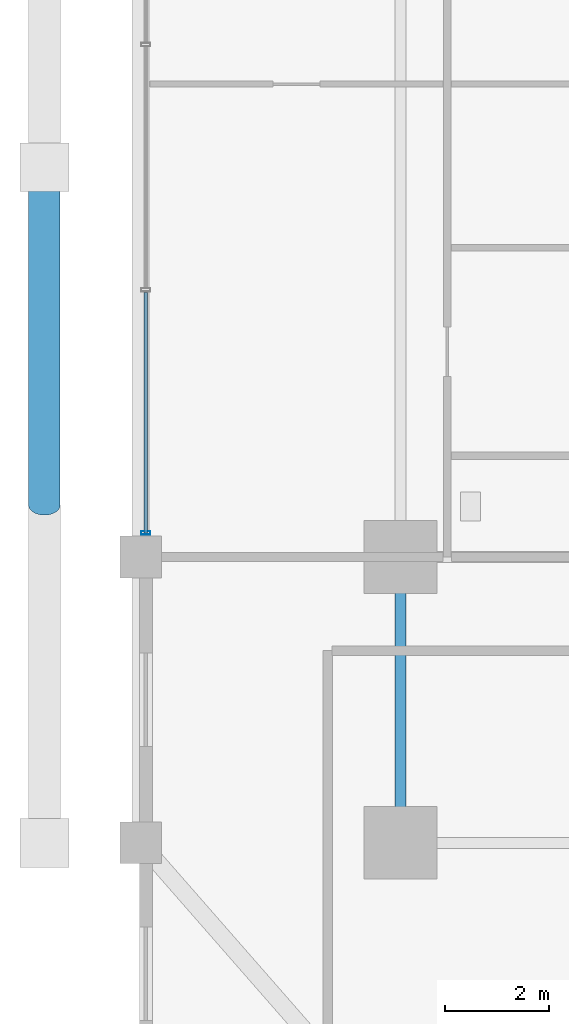
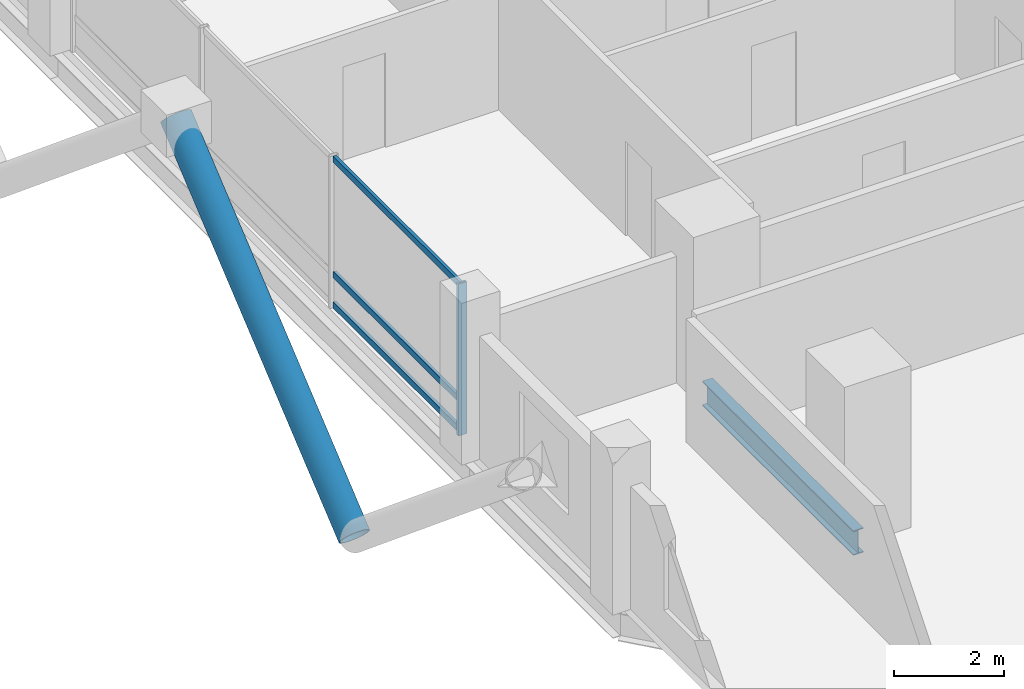
# One storey, part 4 of 23: 5 members, 1 beam, 1 element without a shape of its own.
"""IFC4 building model written with IfcOpenShell, lengths in metres."""

import ifcopenshell
import ifcopenshell.guid

model = None  # the IFC model being written
_history = None  # IfcOwnerHistory: only IFC2X3 demands one
_inside = {}  # id of a spatial element -> (the spatial element, [elements in it])
_under = {}  # id of a project, library or spatial element -> (it, [spatial elements below it])
_declared = {}  # id of a project -> (the project, [libraries it declares])
_typed = {}  # id of a type object -> (the type object, [elements of that type])
_made_of = {}  # id of a material, layer set ... -> (it, [elements and type objects made of it])


def new_model(schema):
    """Start an empty IFC model of exactly this schema.

    Asked for "IFC4X3", IfcOpenShell would pick the latest addendum, in which some entities
    have other attributes; the version numbers below select the first issue.
    IFC2X3 requires an IfcOwnerHistory on every rooted entity: one is made here for all.
    """
    global model, _history
    if schema == "IFC4X3":
        model = ifcopenshell.file(schema_version=(4, 3, 0, 0))
    else:
        model = ifcopenshell.file(schema=schema)
    _inside.clear()
    _under.clear()
    _declared.clear()
    _typed.clear()
    _made_of.clear()
    _history = None
    if model.schema == "IFC2X3":
        org = make("IfcOrganization", Name="unknown")
        user = make(
            "IfcPersonAndOrganization",
            ThePerson=make("IfcPerson", FamilyName="unknown"),
            TheOrganization=org,
        )
        app = make(
            "IfcApplication",
            ApplicationDeveloper=org,
            Version="unknown",
            ApplicationFullName="unknown",
            ApplicationIdentifier="unknown",
        )
        _history = make(
            "IfcOwnerHistory",
            OwningUser=user,
            OwningApplication=app,
            ChangeAction="ADDED",
            CreationDate=0,
        )
    return model


def make(cls, **values):
    """One entity of the class cls with the attributes given. An attribute that is None is left unset."""
    return model.create_entity(
        cls, **{name: value for name, value in values.items() if value is not None}
    )


def rooted(cls, **values):
    """An entity with a GlobalId (a new one), such as an element, a storey or a relation."""
    return make(cls, GlobalId=ifcopenshell.guid.new(), OwnerHistory=_history, **values)


def si_unit(unit_type, name, prefix=None):
    """IfcSIUnit, for example si_unit("LENGTHUNIT", "METRE", prefix="MILLI")."""
    return make("IfcSIUnit", UnitType=unit_type, Prefix=prefix, Name=name)


def assignment(units):
    """IfcUnitAssignment: the units of a project."""
    return None if units is None else make("IfcUnitAssignment", Units=units)


def point(xyz):
    """IfcCartesianPoint."""
    return None if xyz is None else make("IfcCartesianPoint", Coordinates=xyz)


def direction(xyz):
    """IfcDirection."""
    return None if xyz is None else make("IfcDirection", DirectionRatios=xyz)


def frame(location, z_axis=None, x_axis=None):
    """IfcAxis2Placement3D, a coordinate frame: its origin and axes. An axis left out is left unset."""
    return make(
        "IfcAxis2Placement3D",
        Location=point(location),
        Axis=direction(z_axis),
        RefDirection=direction(x_axis),
    )


def frame_2d(location, x_axis=None):
    """IfcAxis2Placement2D, a coordinate frame in the plane: its origin and x axis."""
    return make(
        "IfcAxis2Placement2D", Location=point(location), RefDirection=direction(x_axis)
    )


def origin():
    """The frame at (0, 0, 0) with its axes left unset."""
    return frame((0.0, 0.0, 0.0))


def origin_2d():
    """The frame at (0, 0) in the plane with its x axis left unset."""
    return frame_2d((0.0, 0.0))


def place(relative_to, where):
    """IfcLocalPlacement: puts the frame where relative to a parent placement (None: the world)."""
    return make(
        "IfcLocalPlacement", PlacementRelTo=relative_to, RelativePlacement=where
    )


def context(
    kind, dimensions, precision=None, world=None, true_north=None, identifier=None
):
    """IfcGeometricRepresentationContext, for example the 3D "Model" context."""
    return make(
        "IfcGeometricRepresentationContext",
        ContextIdentifier=identifier,
        ContextType=kind,
        CoordinateSpaceDimension=dimensions,
        Precision=precision,
        WorldCoordinateSystem=world,
        TrueNorth=true_north,
    )


def subcontext(parent, identifier, kind, view, scale=None):
    """IfcGeometricRepresentationSubContext, for example "Body" below "Model"."""
    return make(
        "IfcGeometricRepresentationSubContext",
        ContextIdentifier=identifier,
        ContextType=kind,
        ParentContext=parent,
        TargetScale=scale,
        TargetView=view,
    )


def project(units=None, contexts=None):
    """IfcProject with its units and contexts."""
    return rooted(
        "IfcProject",
        Name="project",
        RepresentationContexts=contexts,
        UnitsInContext=assignment(units),
    )


def spatial(cls, under=None, at=None, **own):
    """A site, building, storey or space (cls), placed at a placement, below another one or the project."""
    s = rooted(cls, ObjectPlacement=at, **own)
    if under is not None:
        _under.setdefault(under.id(), (under, []))[1].append(s)
    return s


def profile(cls, at=None, kind="AREA", **sizes):
    """A parametric profile (cls). Its sizes go by their IFC names, for example OverallWidth=200.0."""
    return make(cls, ProfileType=kind, Position=at, **sizes)


def hollow_rectangle(**sizes):
    """IfcRectangleHollowProfileDef."""
    return profile("IfcRectangleHollowProfileDef", **sizes)


def hollow_circle(**sizes):
    """IfcCircleHollowProfileDef."""
    return profile("IfcCircleHollowProfileDef", **sizes)


def i_section(**sizes):
    """IfcIShapeProfileDef."""
    return profile("IfcIShapeProfileDef", **sizes)


def extrude(swept, where, along, depth):
    """IfcExtrudedAreaSolid: the profile swept, set in the frame where, extruded along a direction by depth."""
    return make(
        "IfcExtrudedAreaSolid",
        SweptArea=swept,
        Position=where,
        ExtrudedDirection=direction(along),
        Depth=depth,
    )


def shape(context_of_items, identifier, shape_type, items):
    """IfcShapeRepresentation: the items that make up one representation, for example the "Body"."""
    return make(
        "IfcShapeRepresentation",
        ContextOfItems=context_of_items,
        RepresentationIdentifier=identifier,
        RepresentationType=shape_type,
        Items=items,
    )


def material(Name=None, Category=None):
    """IfcMaterial."""
    return make("IfcMaterial", Name=Name, Category=Category)


def layer(
    of_material, thickness, ventilated=None, Name=None, Category=None, Priority=None
):
    """IfcMaterialLayer: one layer of a wall or slab, of a material (None: an air gap)."""
    return make(
        "IfcMaterialLayer",
        Material=of_material,
        LayerThickness=thickness,
        IsVentilated=ventilated,
        Name=Name,
        Category=Category,
        Priority=Priority,
    )


def layer_set(layers, Name=None):
    """IfcMaterialLayerSet."""
    return make("IfcMaterialLayerSet", MaterialLayers=layers, LayerSetName=Name)


def material_profile(
    of_material, cross_section, Name=None, Category=None, Priority=None
):
    """IfcMaterialProfile: a cross section and its material."""
    return make(
        "IfcMaterialProfile",
        Name=Name,
        Material=of_material,
        Profile=cross_section,
        Priority=Priority,
        Category=Category,
    )


def profile_set(profiles, Name=None, composite=None):
    """IfcMaterialProfileSet."""
    return make(
        "IfcMaterialProfileSet",
        Name=Name,
        MaterialProfiles=profiles,
        CompositeProfile=composite,
    )


def made_of(thing, what):
    """Note that an element or type object is made of a material, layer set ...; save() writes the relation."""
    if what is not None:
        _made_of.setdefault(what.id(), (what, []))[1].append(thing)
    return thing


def type_object(cls, material=None, **own):
    """A type object (cls), such as IfcWallType, which elements share."""
    return made_of(rooted(cls, **own), material)


def element(
    cls,
    number,
    at=None,
    inside=None,
    cuts=None,
    type_object=None,
    material=None,
    context=None,
    identifier="Body",
    shape_type=None,
    held_by="IfcProductDefinitionShape",
    body=None,
    shapes=None,
    **own,
):
    """One element of the class cls, such as IfcWall. Its Tag is "e" and its number.

    at: its placement. inside: the storey or other place that contains it. cuts: it is an
    opening in that element (IfcRelVoidsElement). A single representation is given by context,
    identifier, shape_type and body (its items); several are given by shapes. held_by: the class
    of the entity that holds the representations. save() writes the other relations.
    """
    e = rooted(cls, Tag="e%d" % number, ObjectPlacement=at, **own)
    if body is not None:
        shapes = [shape(context, identifier, shape_type, body)]
    if shapes is not None:
        e.Representation = make(held_by, Representations=shapes)
    if inside is not None:
        _inside.setdefault(inside.id(), (inside, []))[1].append(e)
    if cuts is not None:
        rooted(
            "IfcRelVoidsElement", RelatingBuildingElement=cuts, RelatedOpeningElement=e
        )
    if type_object is not None:
        _typed.setdefault(type_object.id(), (type_object, []))[1].append(e)
    return made_of(e, material)


def aggregate(whole, parts):
    """IfcRelAggregates: a whole, such as a stair, and the parts it consists of."""
    return rooted("IfcRelAggregates", RelatingObject=whole, RelatedObjects=parts)


def save(model, path):
    """Write the relations noted so far, then the file.

    IfcRelAggregates (storeys below a building ...), IfcRelContainedInSpatialStructure (elements
    in a storey), IfcRelDefinesByType, IfcRelAssociatesMaterial and IfcRelDeclares: one each for
    every whole, place, type object, material and project.
    """
    for whole, parts in _under.values():
        aggregate(whole, parts)
    for where, things in _inside.values():
        rooted(
            "IfcRelContainedInSpatialStructure",
            RelatedElements=things,
            RelatingStructure=where,
        )
    for kind, things in _typed.values():
        rooted("IfcRelDefinesByType", RelatedObjects=things, RelatingType=kind)
    for what, things in _made_of.values():
        rooted("IfcRelAssociatesMaterial", RelatedObjects=things, RelatingMaterial=what)
    for by, libraries in _declared.values():
        rooted("IfcRelDeclares", RelatingContext=by, RelatedDefinitions=libraries)
    model.write(path)


model = new_model("IFC4")

# Units and contexts
model_context = context("Model", 3, precision=1e-05, world=origin(), true_north=direction((0.0, 1.0)))
body_context = subcontext(model_context, "Body", "Model", "MODEL_VIEW")
ifc_project = project(units=[si_unit("LENGTHUNIT", "METRE"), si_unit("AREAUNIT", "SQUARE_METRE"), si_unit("VOLUMEUNIT", "CUBIC_METRE"), si_unit("PLANEANGLEUNIT", "RADIAN"), si_unit("MASSUNIT", "GRAM", prefix="KILO")], contexts=[model_context])

# Site, building, storey
site_placement = place(None, origin())
site = spatial("IfcSite", under=ifc_project, at=site_placement, CompositionType="ELEMENT")
building_placement = place(site_placement, origin())
building = spatial("IfcBuilding", under=site, at=building_placement, Name="Barlavira Tower and Art Museum", CompositionType="ELEMENT")
storey_placement = place(building_placement, frame((0.0, 0.0, 68.39990234375)))
storey = spatial("IfcBuildingStorey", under=building, at=storey_placement, Name="L16", CompositionType="ELEMENT", Elevation=68.39990234375)

# Curtain wall, members
ifc_material_1 = material(Name="Low-iron coastal laminated glass", Category="glass")
ifc_layer = layer(ifc_material_1, 0.179931640625, Name="Low-iron coastal laminated glass")
ifc_layer_set = layer_set([ifc_layer], Name="Low-iron coastal laminated glass")
curtain_wall_type = type_object("IfcCurtainWallType", Name="Pale-Metal Unitised Curtain Wall Zone 1", PredefinedType="NOTDEFINED", material=ifc_layer_set)
curtain_wall_placement = place(storey_placement, origin())
curtain_wall = element("IfcCurtainWall", 1, at=curtain_wall_placement, inside=storey, type_object=curtain_wall_type, Name="L16 Curtain Wall CW1-L16-W-B3", PredefinedType="NOTDEFINED")
ifc_material_2 = material(Name="Pale anodised aluminium", Category="aluminium")
ifc_material_profile_1 = material_profile(ifc_material_2, hollow_rectangle(XDim=0.06494140625, YDim=0.179931640625, WallThickness=0.00390625, at=origin_2d()), Name="ALU-MULL 65x180x4")
ifc_profile_set_1 = profile_set([ifc_material_profile_1], Name="Pale anodised aluminium")
member_type_1 = type_object("IfcMemberType", Name="Curtain Wall Pale-Metal Mullion 65x180", PredefinedType="MULLION", material=ifc_profile_set_1)
member_1_placement = place(storey_placement, frame((-21.89990234375, -7.034912109375, 0.0), z_axis=(0.0, 0.0, 1.0), x_axis=(0.0, -1.0, 0.0)))
member_1 = element("IfcMember", 2, at=member_1_placement, type_object=member_type_1, Name="CW1-L16-W-B3 Mullion 3", PredefinedType="MULLION", context=body_context, shape_type="SweptSolid", body=[
    extrude(hollow_rectangle(XDim=0.06494140625, YDim=0.179931640625, WallThickness=0.00390625, at=origin_2d()), origin(), (0.0, 0.0, 1.0), 3.380126953125),
])
ifc_material_profile_2 = material_profile(ifc_material_2, hollow_rectangle(XDim=0.06494140625, YDim=0.139892578125, WallThickness=0.00390625, at=origin_2d()), Name="ALU-TRAN 65x140x4")
ifc_profile_set_2 = profile_set([ifc_material_profile_2], Name="Pale anodised aluminium")
member_type_2 = type_object("IfcMemberType", Name="Curtain Wall Pale-Metal Transom 65x140", PredefinedType="USERDEFINED", material=ifc_profile_set_2)
member_2_placement = place(storey_placement, frame((-21.89990234375, -2.405029296875, 0.070068359375), z_axis=(0.0, -1.0, 0.0), x_axis=(1.0, 0.0, 0.0)))
member_2 = element("IfcMember", 3, at=member_2_placement, type_object=member_type_2, Name="CW1-L16-W-B3 Transom 2.1", ObjectType="TRANSOM", PredefinedType="USERDEFINED", context=body_context, shape_type="SweptSolid", body=[
    extrude(hollow_rectangle(XDim=0.06494140625, YDim=0.139892578125, WallThickness=0.00390625, at=origin_2d()), origin(), (0.0, 0.0, 1.0), 4.6298828125),
])
member_3_placement = place(storey_placement, frame((-21.89990234375, -2.405029296875, 0.744140625), z_axis=(0.0, -1.0, 0.0), x_axis=(1.0, 0.0, 0.0)))
member_3 = element("IfcMember", 4, at=member_3_placement, type_object=member_type_2, Name="CW1-L16-W-B3 Transom 2.2", ObjectType="TRANSOM", PredefinedType="USERDEFINED", context=body_context, shape_type="SweptSolid", body=[
    extrude(hollow_rectangle(XDim=0.06494140625, YDim=0.139892578125, WallThickness=0.00390625, at=origin_2d()), origin(), (0.0, 0.0, 1.0), 4.6298828125),
])
member_4_placement = place(storey_placement, frame((-21.89990234375, -2.405029296875, 3.31005859375), z_axis=(0.0, -1.0, 0.0), x_axis=(1.0, 0.0, 0.0)))
member_4 = element("IfcMember", 5, at=member_4_placement, type_object=member_type_2, Name="CW1-L16-W-B3 Transom 2.3", ObjectType="TRANSOM", PredefinedType="USERDEFINED", context=body_context, shape_type="SweptSolid", body=[
    extrude(hollow_rectangle(XDim=0.06494140625, YDim=0.139892578125, WallThickness=0.00390625, at=origin_2d()), origin(), (0.0, 0.0, 1.0), 4.6298828125),
])
aggregate(curtain_wall, [member_1, member_2, member_3, member_4])

# Member
ifc_material_3 = material(Name="Steel S355", Category="steel")
ifc_material_profile_3 = material_profile(ifc_material_3, hollow_circle(Radius=0.304931640625, WallThickness=0.028076171875, at=origin_2d()), Name="CHS 610.0x28.0")
ifc_profile_set_3 = profile_set([ifc_material_profile_3], Name="Steel S355")
member_type_3 = type_object("IfcMemberType", Name="Pale-Metal Exoskeleton Diagrid Tube CHS 610x28 Steel S355", PredefinedType="BRACE", material=ifc_profile_set_3)
member_5_placement = place(storey_placement, frame((-23.85009765625, -6.5, -1.919921875), z_axis=(0.0, 0.769196053329, 0.639012857104), x_axis=(-1.0, 0.0, 0.0)))
element("IfcMember", 6, at=member_5_placement, inside=storey, type_object=member_type_3, Name="L16 Exoskeleton Diagrid Tube W", PredefinedType="BRACE", context=body_context, shape_type="SweptSolid", body=[
    extrude(hollow_circle(Radius=0.304931640625, WallThickness=0.028076171875, at=origin_2d()), origin(), (0.0, 0.0, 1.0), 8.450439453125),
])

# Beam
ifc_material_profile_4 = material_profile(ifc_material_3, i_section(OverallWidth=0.214111328125, OverallDepth=0.549072265625, WebThickness=0.0146484375, FlangeThickness=0.023681640625, at=origin_2d()), Name="W530x138.0")
ifc_profile_set_4 = profile_set([ifc_material_profile_4], Name="Steel S355")
beam_type = type_object("IfcBeamType", Name="Zone 1 Primary Floor Girder W530x138 Steel S355", PredefinedType="BEAM", material=ifc_profile_set_4)
beam_placement = place(storey_placement, frame((-17.0, -13.0, -0.494384765625), z_axis=(0.0, 1.0, 0.0), x_axis=(-1.0, 0.0, 0.0)))
element("IfcBeam", 7, at=beam_placement, inside=storey, type_object=beam_type, Name="L16 Girder M-W1", PredefinedType="BEAM", context=body_context, shape_type="SweptSolid", body=[
    extrude(i_section(OverallWidth=0.214111328125, OverallDepth=0.549072265625, WebThickness=0.0146484375, FlangeThickness=0.023681640625, at=origin_2d()), origin(), (0.0, 0.0, 1.0), 5.5),
])

save(model, "model.ifc")
